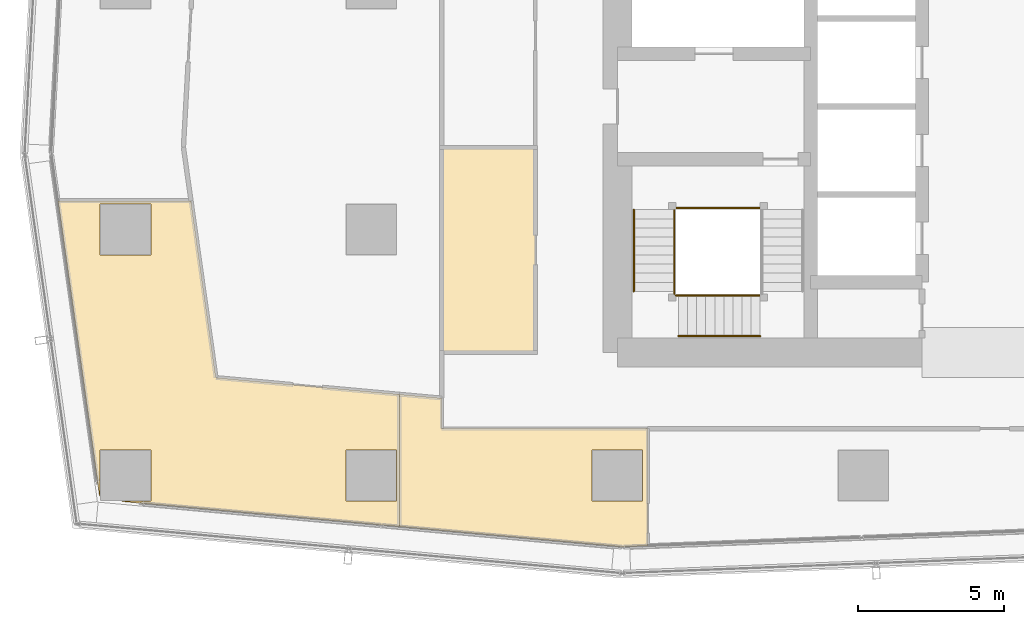
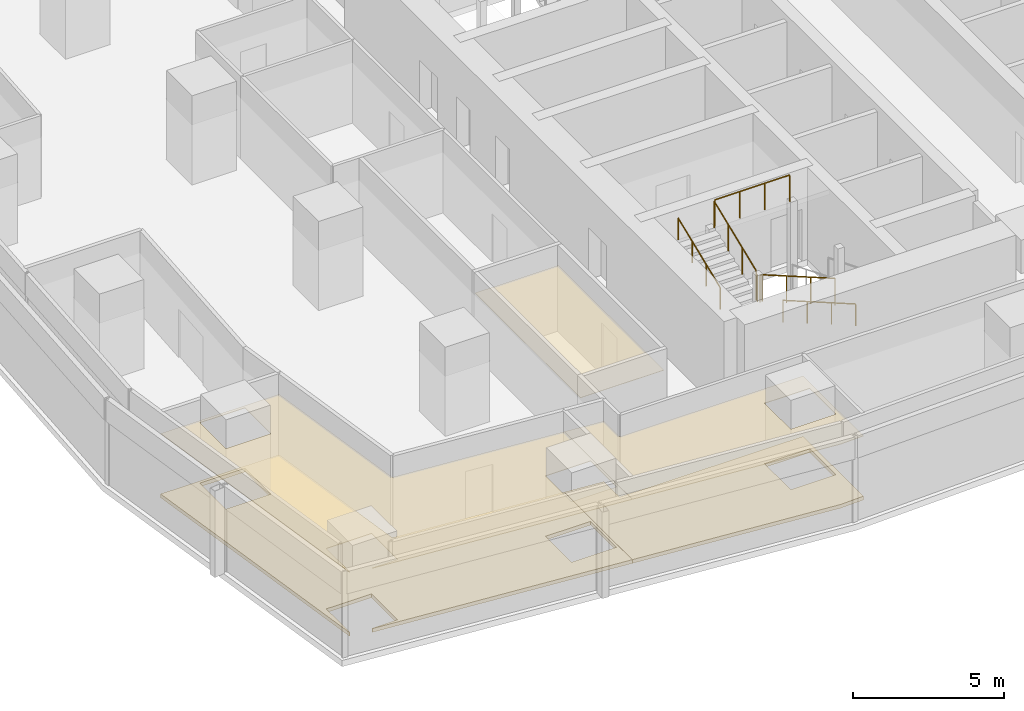
# One storey, part 33 of 40: 7 railings, 5 coverings.
"""IFC4 building model written with IfcOpenShell, lengths in metres."""

from ifc_helpers import new_model, si_unit, direction, frame, origin, origin_2d, place, context, subcontext, project, spatial, polyline, circle, outline, extrude, material, layer, layer_set, type_object, element, save


model = new_model("IFC4")

# Units and contexts
model_context = context("Model", 3, precision=1e-05, world=origin(), true_north=direction((0.0, 1.0)))
body_context = subcontext(model_context, "Body", "Model", "MODEL_VIEW")
ifc_project = project(units=[si_unit("LENGTHUNIT", "METRE"), si_unit("AREAUNIT", "SQUARE_METRE"), si_unit("VOLUMEUNIT", "CUBIC_METRE"), si_unit("PLANEANGLEUNIT", "RADIAN"), si_unit("MASSUNIT", "GRAM", prefix="KILO")], contexts=[model_context])

# Site, building, storey
site_placement = place(None, origin())
site = spatial("IfcSite", under=ifc_project, at=site_placement, CompositionType="ELEMENT")
building_placement = place(site_placement, origin())
building = spatial("IfcBuilding", under=site, at=building_placement, Name="Rekha Terrace Tower", CompositionType="ELEMENT")
storey_placement = place(building_placement, frame((0.0, 0.0, 106.550048828125)))
storey = spatial("IfcBuildingStorey", under=building, at=storey_placement, Name="L26", CompositionType="ELEMENT", Elevation=106.550048828125)

# Coverings
ifc_material_1 = material(Name="Mineral fibre tile in exposed grid", Category="finish")
ifc_layer_1 = layer(ifc_material_1, 0.02001953125)
ifc_layer_set_1 = layer_set([ifc_layer_1], Name="Mineral fibre tile in exposed grid")
covering_type_1 = type_object("IfcCoveringType", Name="CL1 600x1200 office grid ceiling", PredefinedType="CEILING", material=ifc_layer_set_1)
covering_1_placement = place(storey_placement, frame((0.0, 0.0, 2.579833984375)))
element("IfcCovering", 1, at=covering_1_placement, inside=storey, type_object=covering_type_1, Name="Ceiling L26-19", PredefinedType="CEILING", context=body_context, shape_type="SweptSolid", body=[
    extrude(outline(polyline([(7.514892578125, 16.096923828125), (7.534912109375, 16.097900390625), (7.534912109375, 17.6650390625), (9.264892578125, 17.6650390625), (9.264892578125, 15.93505859375), (8.283935546875, 15.93505859375), (8.282958984375, 15.912109375), (17.751953125, 15.052001953125), (17.751953125, 19.570068359375), (11.489990234375, 20.138916015625), (10.638916015625, 26.176025390625), (6.094970703125, 26.176025390625), (7.514892578125, 16.096923828125)]), holes=[polyline([(17.6650390625, 15.93505859375), (15.93505859375, 15.93505859375), (15.93505859375, 17.6650390625), (17.6650390625, 17.6650390625), (17.6650390625, 15.93505859375)]), polyline([(9.264892578125, 24.3349609375), (7.534912109375, 24.3349609375), (7.534912109375, 26.06494140625), (9.264892578125, 26.06494140625), (9.264892578125, 24.3349609375)])]), origin(), (0.0, 0.0, 1.0), 0.02001953125),
])
covering_2_placement = place(storey_placement, frame((0.0, 0.0, 2.579833984375)))
element("IfcCovering", 2, at=covering_2_placement, inside=storey, type_object=covering_type_1, Name="Ceiling L26-20", PredefinedType="CEILING", context=body_context, shape_type="SweptSolid", body=[
    extrude(outline(polyline([(26.23388671875, 14.39697265625), (26.23388671875, 18.39990234375), (19.199951171875, 18.39990234375), (19.199951171875, 19.43896484375), (17.7529296875, 19.570068359375), (17.7529296875, 15.052001953125), (25.346923828125, 14.362060546875), (26.23388671875, 14.39697265625)]), holes=[polyline([(26.06494140625, 17.6650390625), (26.06494140625, 15.93505859375), (24.3349609375, 15.93505859375), (24.3349609375, 17.6650390625), (26.06494140625, 17.6650390625)])]), origin(), (0.0, 0.0, 1.0), 0.02001953125),
])
ifc_material_2 = material(Name="Fibre cement board", Category="finish")
ifc_layer_2 = layer(ifc_material_2, 0.014892578125)
ifc_layer_set_2 = layer_set([ifc_layer_2], Name="Fibre cement board")
covering_type_2 = type_object("IfcCoveringType", Name="CL2 moisture-resistant board ceiling", PredefinedType="CEILING", material=ifc_layer_set_2)
covering_3_placement = place(storey_placement, frame((0.0, 0.0, 2.5849609375)))
element("IfcCovering", 3, at=covering_3_placement, inside=storey, type_object=covering_type_2, Name="Ceiling L26-WCM", PredefinedType="CEILING", context=body_context, shape_type="SweptSolid", body=[
    extrude(outline(polyline([(22.39990234375, 28.0), (19.199951171875, 28.0), (19.199951171875, 21.0), (22.39990234375, 21.0), (22.39990234375, 28.0)])), origin(), (0.0, 0.0, 1.0), 0.014892578125),
])

# Railings
ifc_material_3 = material(Name="Stainless steel balustrade", Category="steel")
railing_type_1 = type_object("IfcRailingType", Name="GR1 1100 stair guard", PredefinedType="GUARDRAIL", material=ifc_material_3)
railing_1_placement = place(storey_placement, frame((30.074951171875, 22.93994140625, 1.375)))
element("IfcRailing", 4, at=railing_1_placement, inside=storey, type_object=railing_type_1, Name="Guard ST1 L26 flight 2", PredefinedType="GUARDRAIL", context=body_context, shape_type="SweptSolid", body=[
    extrude(circle(Radius=0.02392578125, at=origin_2d()), frame((0.0, 0.0, 1.076171875), z_axis=(-0.927443287984, 0.0, 0.373963831907), x_axis=(0.0, -1.0, 0.0)), (0.0, 0.0, 1.0), 3.00830078125),
    extrude(circle(Radius=0.02099609375, at=origin_2d()), origin(), (0.0, 0.0, 1.0), 1.052001953125),
    extrude(circle(Radius=0.02099609375, at=origin_2d()), frame((-0.929931640625, 0.0, 0.375)), (0.0, 0.0, 1.0), 1.052001953125),
    extrude(circle(Radius=0.02099609375, at=origin_2d()), frame((-1.860107421875, 0.0, 0.75)), (0.0, 0.0, 1.0), 1.052001953125),
    extrude(circle(Radius=0.02099609375, at=origin_2d()), frame((-2.7900390625, 0.0, 1.125)), (0.0, 0.0, 1.0), 1.052001953125),
])
railing_2_placement = place(storey_placement, frame((27.139892578125, 23.0849609375, 2.625)))
element("IfcRailing", 5, at=railing_2_placement, inside=storey, type_object=railing_type_1, Name="Guard ST1 L26 flight 3", PredefinedType="GUARDRAIL", context=body_context, shape_type="SweptSolid", body=[
    extrude(circle(Radius=0.02392578125, at=origin_2d()), frame((0.0, 0.0, 1.076171875), z_axis=(0.0, 0.927443287984, 0.373963831907), x_axis=(-1.0, 0.0, 0.0)), (0.0, 0.0, 1.0), 3.00830078125),
    extrude(circle(Radius=0.02099609375, at=origin_2d()), origin(), (0.0, 0.0, 1.0), 1.052001953125),
    extrude(circle(Radius=0.02099609375, at=origin_2d()), frame((0.0, 0.929931640625, 0.375)), (0.0, 0.0, 1.0), 1.052001953125),
    extrude(circle(Radius=0.02099609375, at=origin_2d()), frame((0.0, 1.860107421875, 0.75)), (0.0, 0.0, 1.0), 1.052001953125),
    extrude(circle(Radius=0.02099609375, at=origin_2d()), frame((0.0, 2.7900390625, 1.125)), (0.0, 0.0, 1.0), 1.052001953125),
])
railing_3_placement = place(storey_placement, frame((27.284912109375, 22.93994140625, 2.5)))
element("IfcRailing", 6, at=railing_3_placement, inside=storey, type_object=railing_type_1, Name="Guard ST1 L26 landing 2", PredefinedType="GUARDRAIL", context=body_context, shape_type="SweptSolid", body=[
    extrude(circle(Radius=0.02392578125, at=origin_2d()), frame((0.0, 0.0, 1.076171875), z_axis=(-1.0, 0.0, 0.0), x_axis=(0.0, -1.0, 0.0)), (0.0, 0.0, 1.0), 0.0849609375),
    extrude(circle(Radius=0.02099609375, at=origin_2d()), origin(), (0.0, 0.0, 1.0), 1.052001953125),
    extrude(circle(Radius=0.02099609375, at=origin_2d()), frame((-0.0849609375, 0.0, 0.0)), (0.0, 0.0, 1.0), 1.052001953125),
])
railing_4_placement = place(storey_placement, frame((27.139892578125, 23.0849609375, 2.5)))
element("IfcRailing", 7, at=railing_4_placement, inside=storey, type_object=railing_type_1, Name="Guard ST1 L26 landing 3", PredefinedType="GUARDRAIL", context=body_context, shape_type="SweptSolid", body=[
    extrude(circle(Radius=0.02392578125, at=origin_2d()), frame((0.0, 0.0, 1.076171875), z_axis=(0.0, -1.0, 0.0), x_axis=(1.0, 0.0, 0.0)), (0.0, 0.0, 1.0), 0.0849609375),
    extrude(circle(Radius=0.02099609375, at=origin_2d()), origin(), (0.0, 0.0, 1.0), 1.052001953125),
    extrude(circle(Radius=0.02099609375, at=origin_2d()), frame((0.0, -0.0849609375, 0.0)), (0.0, 0.0, 1.0), 1.052001953125),
])
railing_5_placement = place(storey_placement, frame((30.074951171875, 25.93505859375, 3.75)))
element("IfcRailing", 8, at=railing_5_placement, inside=storey, type_object=railing_type_1, Name="Guard ST1 L26 landing 4", PredefinedType="GUARDRAIL", context=body_context, shape_type="SweptSolid", body=[
    extrude(circle(Radius=0.02392578125, at=origin_2d()), frame((0.0, 0.0, 1.076171875), z_axis=(-1.0, 0.0, 0.0), x_axis=(0.0, -1.0, 0.0)), (0.0, 0.0, 1.0), 2.875),
    extrude(circle(Radius=0.02099609375, at=origin_2d()), origin(), (0.0, 0.0, 1.0), 1.052001953125),
    extrude(circle(Radius=0.02099609375, at=origin_2d()), frame((-0.958251953125, 0.0, 0.0)), (0.0, 0.0, 1.0), 1.052001953125),
    extrude(circle(Radius=0.02099609375, at=origin_2d()), frame((-1.916748046875, 0.0, 0.0)), (0.0, 0.0, 1.0), 1.052001953125),
    extrude(circle(Radius=0.02099609375, at=origin_2d()), frame((-2.875, 0.0, 0.0)), (0.0, 0.0, 1.0), 1.052001953125),
])
ifc_material_4 = material(Name="Stainless steel tube", Category="steel")
railing_type_2 = type_object("IfcRailingType", Name="HR1 900 stair handrail", PredefinedType="HANDRAIL", material=ifc_material_4)
railing_6_placement = place(storey_placement, frame((30.074951171875, 21.56005859375, 1.375)))
element("IfcRailing", 9, at=railing_6_placement, inside=storey, type_object=railing_type_2, Name="Handrail ST1 L26 flight 2", PredefinedType="HANDRAIL", context=body_context, shape_type="SweptSolid", body=[
    extrude(circle(Radius=0.02392578125, at=origin_2d()), frame((0.0, 0.0, 0.8759765625), z_axis=(-0.927443287984, 0.0, 0.373963831907), x_axis=(0.0, -1.0, 0.0)), (0.0, 0.0, 1.0), 3.00830078125),
    extrude(circle(Radius=0.02099609375, at=origin_2d()), origin(), (0.0, 0.0, 1.0), 0.851806640625),
    extrude(circle(Radius=0.02099609375, at=origin_2d()), frame((-0.929931640625, 0.0, 0.375)), (0.0, 0.0, 1.0), 0.851806640625),
    extrude(circle(Radius=0.02099609375, at=origin_2d()), frame((-1.860107421875, 0.0, 0.75)), (0.0, 0.0, 1.0), 0.851806640625),
    extrude(circle(Radius=0.02099609375, at=origin_2d()), frame((-2.7900390625, 0.0, 1.125)), (0.0, 0.0, 1.0), 0.851806640625),
])
railing_7_placement = place(storey_placement, frame((25.760009765625, 23.0849609375, 2.625)))
element("IfcRailing", 10, at=railing_7_placement, inside=storey, type_object=railing_type_2, Name="Handrail ST1 L26 flight 3", PredefinedType="HANDRAIL", context=body_context, shape_type="SweptSolid", body=[
    extrude(circle(Radius=0.02392578125, at=origin_2d()), frame((0.0, 0.0, 0.8759765625), z_axis=(0.0, 0.927443287984, 0.373963831907), x_axis=(-1.0, 0.0, 0.0)), (0.0, 0.0, 1.0), 3.00830078125),
    extrude(circle(Radius=0.02099609375, at=origin_2d()), origin(), (0.0, 0.0, 1.0), 0.851806640625),
    extrude(circle(Radius=0.02099609375, at=origin_2d()), frame((0.0, 0.929931640625, 0.375)), (0.0, 0.0, 1.0), 0.851806640625),
    extrude(circle(Radius=0.02099609375, at=origin_2d()), frame((0.0, 1.860107421875, 0.75)), (0.0, 0.0, 1.0), 0.851806640625),
    extrude(circle(Radius=0.02099609375, at=origin_2d()), frame((0.0, 2.7900390625, 1.125)), (0.0, 0.0, 1.0), 0.851806640625),
])

# Coverings
ifc_material_5 = material(Name="Calcium sulphate panels on steel pedestals", Category="steel")
ifc_layer_3 = layer(ifc_material_5, 0.14990234375)
ifc_layer_set_3 = layer_set([ifc_layer_3], Name="Calcium sulphate panels on steel pedestals")
covering_type_3 = type_object("IfcCoveringType", Name="RF1 150 raised access floor", PredefinedType="FLOORING", material=ifc_layer_set_3)
covering_4_placement = place(storey_placement, origin())
element("IfcCovering", 11, at=covering_4_placement, inside=storey, type_object=covering_type_3, Name="Raised floor L26-19", PredefinedType="FLOORING", context=body_context, shape_type="SweptSolid", body=[
    extrude(outline(polyline([(7.514892578125, 16.096923828125), (7.534912109375, 16.097900390625), (7.534912109375, 17.6650390625), (9.264892578125, 17.6650390625), (9.264892578125, 15.93505859375), (8.283935546875, 15.93505859375), (8.282958984375, 15.912109375), (17.751953125, 15.052001953125), (17.751953125, 19.570068359375), (11.489990234375, 20.138916015625), (10.638916015625, 26.176025390625), (6.094970703125, 26.176025390625), (7.514892578125, 16.096923828125)]), holes=[polyline([(17.6650390625, 15.93505859375), (15.93505859375, 15.93505859375), (15.93505859375, 17.6650390625), (17.6650390625, 17.6650390625), (17.6650390625, 15.93505859375)]), polyline([(9.264892578125, 24.3349609375), (7.534912109375, 24.3349609375), (7.534912109375, 26.06494140625), (9.264892578125, 26.06494140625), (9.264892578125, 24.3349609375)])]), origin(), (0.0, 0.0, 1.0), 0.14990234375),
])
covering_5_placement = place(storey_placement, origin())
element("IfcCovering", 12, at=covering_5_placement, inside=storey, type_object=covering_type_3, Name="Raised floor L26-20", PredefinedType="FLOORING", context=body_context, shape_type="SweptSolid", body=[
    extrude(outline(polyline([(26.23388671875, 14.39697265625), (26.23388671875, 18.39990234375), (19.199951171875, 18.39990234375), (19.199951171875, 19.43896484375), (17.7529296875, 19.570068359375), (17.7529296875, 15.052001953125), (25.346923828125, 14.362060546875), (26.23388671875, 14.39697265625)]), holes=[polyline([(26.06494140625, 17.6650390625), (26.06494140625, 15.93505859375), (24.3349609375, 15.93505859375), (24.3349609375, 17.6650390625), (26.06494140625, 17.6650390625)])]), origin(), (0.0, 0.0, 1.0), 0.14990234375),
])

save(model, "model.ifc")
